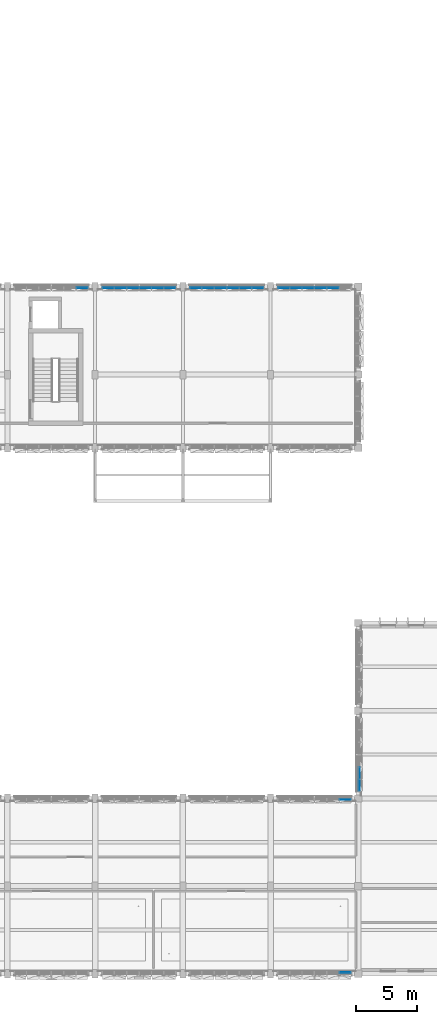
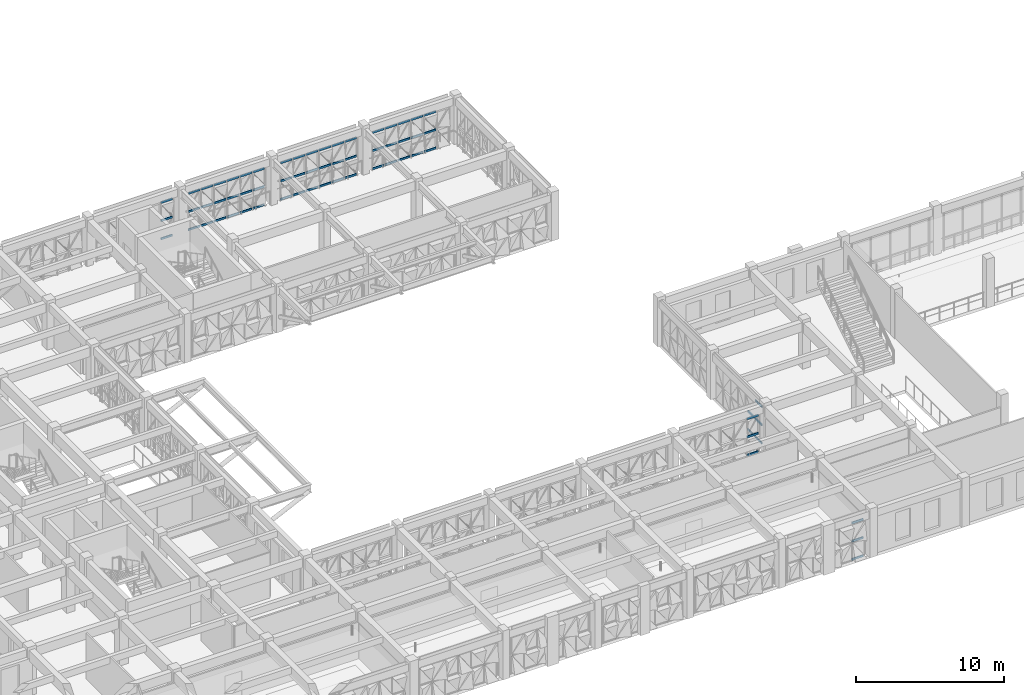
# One storey, part 26 of 88: 65 members, 7 elements without a shape of their own.
"""IFC4 building model written with IfcOpenShell, lengths in metres."""

from ifc_helpers import new_model, si_unit, direction, frame, origin, origin_2d, place, context, subcontext, project, spatial, rectangle, extrude, material, material_profile, profile_set, type_object, element, aggregate, save


model = new_model("IFC4")

# Units and contexts
model_context = context("Model", 3, precision=1e-05, world=origin(), true_north=direction((0.0, 1.0)))
body_context = subcontext(model_context, "Body", "Model", "MODEL_VIEW")
ifc_project = project(units=[si_unit("LENGTHUNIT", "METRE"), si_unit("AREAUNIT", "SQUARE_METRE"), si_unit("VOLUMEUNIT", "CUBIC_METRE"), si_unit("PLANEANGLEUNIT", "RADIAN"), si_unit("MASSUNIT", "GRAM", prefix="KILO")], contexts=[model_context])

# Site, building, storey
site_placement = place(None, origin())
site = spatial("IfcSite", under=ifc_project, at=site_placement, CompositionType="ELEMENT")
building_placement = place(site_placement, origin())
building = spatial("IfcBuilding", under=site, at=building_placement, Name="Alvorim Cloister Faculty of Sciences", CompositionType="ELEMENT")
storey_placement = place(building_placement, frame((0.0, 0.0, 4.5)))
storey = spatial("IfcBuildingStorey", under=building, at=storey_placement, Name="L01", CompositionType="ELEMENT", Elevation=4.5)

# Curtain wall, members
ifc_material_1 = material(Name="Aluminium and Low-E Glass Curtain Wall", Category="aluminium")
curtain_wall_type = type_object("IfcCurtainWallType", Name="CW-TRI-6120x3170", PredefinedType="USERDEFINED", material=ifc_material_1)
curtain_wall_1_placement = place(storey_placement, origin())
curtain_wall_1 = element("IfcCurtainWall", 1, at=curtain_wall_1_placement, inside=storey, type_object=curtain_wall_type, Name="L01 Diagonal Cassette Curtain Wall CW-0013", ObjectType="UNITISED CURTAIN WALL", PredefinedType="USERDEFINED")
ifc_material_2 = material(Name="Aluminium Alloy 6063-T6", Category="aluminium")
ifc_material_profile = material_profile(ifc_material_2, rectangle(XDim=0.074951171875, YDim=0.159912109375, at=origin_2d()), Name="ALU-TRN-75x160")
ifc_profile_set = profile_set([ifc_material_profile], Name="Aluminium Alloy 6063-T6")
member_type = type_object("IfcMemberType", Name="CW-TRN-75x160", PredefinedType="USERDEFINED", material=ifc_profile_set)
member_1_placement = place(storey_placement, frame((41.677490234375, 56.31005859375, 0.080078125), z_axis=(1.0, 0.0, 0.0), x_axis=(0.0, 1.0, 0.0)))
member_1 = element("IfcMember", 2, at=member_1_placement, type_object=member_type, Name="CW-0013 Transom 6.1", ObjectType="TRANSOM", PredefinedType="USERDEFINED", context=body_context, shape_type="SweptSolid", body=[
    extrude(rectangle(XDim=0.074951171875, YDim=0.159912109375, at=origin_2d()), origin(), (0.0, 0.0, 1.0), 0.907470703125),
])
member_2_placement = place(storey_placement, frame((41.677490234375, 56.31005859375, 1.5849609375), z_axis=(1.0, 0.0, 0.0), x_axis=(0.0, 1.0, 0.0)))
member_2 = element("IfcMember", 3, at=member_2_placement, type_object=member_type, Name="CW-0013 Transom 6.2", ObjectType="TRANSOM", PredefinedType="USERDEFINED", context=body_context, shape_type="SweptSolid", body=[
    extrude(rectangle(XDim=0.074951171875, YDim=0.159912109375, at=origin_2d()), origin(), (0.0, 0.0, 1.0), 0.907470703125),
])
member_3_placement = place(storey_placement, frame((41.677490234375, 56.31005859375, 3.090087890625), z_axis=(1.0, 0.0, 0.0), x_axis=(0.0, 1.0, 0.0)))
member_3 = element("IfcMember", 4, at=member_3_placement, type_object=member_type, Name="CW-0013 Transom 6.3", ObjectType="TRANSOM", PredefinedType="USERDEFINED", context=body_context, shape_type="SweptSolid", body=[
    extrude(rectangle(XDim=0.074951171875, YDim=0.159912109375, at=origin_2d()), origin(), (0.0, 0.0, 1.0), 0.907470703125),
])
aggregate(curtain_wall_1, [member_1, member_2, member_3])

curtain_wall_2_placement = place(storey_placement, origin())
curtain_wall_2 = element("IfcCurtainWall", 5, at=curtain_wall_2_placement, inside=storey, type_object=curtain_wall_type, Name="L01 Diagonal Cassette Curtain Wall CW-0014", ObjectType="UNITISED CURTAIN WALL", PredefinedType="USERDEFINED")
member_4_placement = place(storey_placement, frame((43.81494140625, 56.31005859375, 0.080078125), z_axis=(1.0, 0.0, 0.0), x_axis=(0.0, 1.0, 0.0)))
member_4 = element("IfcMember", 6, at=member_4_placement, type_object=member_type, Name="CW-0014 Transom 1.1", ObjectType="TRANSOM", PredefinedType="USERDEFINED", context=body_context, shape_type="SweptSolid", body=[
    extrude(rectangle(XDim=0.074951171875, YDim=0.159912109375, at=origin_2d()), origin(), (0.0, 0.0, 1.0), 0.907470703125),
])
member_5_placement = place(storey_placement, frame((43.81494140625, 56.31005859375, 1.5849609375), z_axis=(1.0, 0.0, 0.0), x_axis=(0.0, 1.0, 0.0)))
member_5 = element("IfcMember", 7, at=member_5_placement, type_object=member_type, Name="CW-0014 Transom 1.2", ObjectType="TRANSOM", PredefinedType="USERDEFINED", context=body_context, shape_type="SweptSolid", body=[
    extrude(rectangle(XDim=0.074951171875, YDim=0.159912109375, at=origin_2d()), origin(), (0.0, 0.0, 1.0), 0.907470703125),
])
member_6_placement = place(storey_placement, frame((43.81494140625, 56.31005859375, 3.090087890625), z_axis=(1.0, 0.0, 0.0), x_axis=(0.0, 1.0, 0.0)))
member_6 = element("IfcMember", 8, at=member_6_placement, type_object=member_type, Name="CW-0014 Transom 1.3", ObjectType="TRANSOM", PredefinedType="USERDEFINED", context=body_context, shape_type="SweptSolid", body=[
    extrude(rectangle(XDim=0.074951171875, YDim=0.159912109375, at=origin_2d()), origin(), (0.0, 0.0, 1.0), 0.907470703125),
])
member_7_placement = place(storey_placement, frame((44.797607421875, 56.31005859375, 0.080078125), z_axis=(1.0, 0.0, 0.0), x_axis=(0.0, 1.0, 0.0)))
member_7 = element("IfcMember", 9, at=member_7_placement, type_object=member_type, Name="CW-0014 Transom 2.1", ObjectType="TRANSOM", PredefinedType="USERDEFINED", context=body_context, shape_type="SweptSolid", body=[
    extrude(rectangle(XDim=0.074951171875, YDim=0.159912109375, at=origin_2d()), origin(), (0.0, 0.0, 1.0), 0.94482421875),
])
member_8_placement = place(storey_placement, frame((44.797607421875, 56.31005859375, 1.5849609375), z_axis=(1.0, 0.0, 0.0), x_axis=(0.0, 1.0, 0.0)))
member_8 = element("IfcMember", 10, at=member_8_placement, type_object=member_type, Name="CW-0014 Transom 2.2", ObjectType="TRANSOM", PredefinedType="USERDEFINED", context=body_context, shape_type="SweptSolid", body=[
    extrude(rectangle(XDim=0.074951171875, YDim=0.159912109375, at=origin_2d()), origin(), (0.0, 0.0, 1.0), 0.94482421875),
])
member_9_placement = place(storey_placement, frame((44.797607421875, 56.31005859375, 3.090087890625), z_axis=(1.0, 0.0, 0.0), x_axis=(0.0, 1.0, 0.0)))
member_9 = element("IfcMember", 11, at=member_9_placement, type_object=member_type, Name="CW-0014 Transom 2.3", ObjectType="TRANSOM", PredefinedType="USERDEFINED", context=body_context, shape_type="SweptSolid", body=[
    extrude(rectangle(XDim=0.074951171875, YDim=0.159912109375, at=origin_2d()), origin(), (0.0, 0.0, 1.0), 0.94482421875),
])
member_10_placement = place(storey_placement, frame((45.8173828125, 56.31005859375, 0.080078125), z_axis=(1.0, 0.0, 0.0), x_axis=(0.0, 1.0, 0.0)))
member_10 = element("IfcMember", 12, at=member_10_placement, type_object=member_type, Name="CW-0014 Transom 3.1", ObjectType="TRANSOM", PredefinedType="USERDEFINED", context=body_context, shape_type="SweptSolid", body=[
    extrude(rectangle(XDim=0.074951171875, YDim=0.159912109375, at=origin_2d()), origin(), (0.0, 0.0, 1.0), 0.945068359375),
])
member_11_placement = place(storey_placement, frame((45.8173828125, 56.31005859375, 1.5849609375), z_axis=(1.0, 0.0, 0.0), x_axis=(0.0, 1.0, 0.0)))
member_11 = element("IfcMember", 13, at=member_11_placement, type_object=member_type, Name="CW-0014 Transom 3.2", ObjectType="TRANSOM", PredefinedType="USERDEFINED", context=body_context, shape_type="SweptSolid", body=[
    extrude(rectangle(XDim=0.074951171875, YDim=0.159912109375, at=origin_2d()), origin(), (0.0, 0.0, 1.0), 0.945068359375),
])
member_12_placement = place(storey_placement, frame((45.8173828125, 56.31005859375, 3.090087890625), z_axis=(1.0, 0.0, 0.0), x_axis=(0.0, 1.0, 0.0)))
member_12 = element("IfcMember", 14, at=member_12_placement, type_object=member_type, Name="CW-0014 Transom 3.3", ObjectType="TRANSOM", PredefinedType="USERDEFINED", context=body_context, shape_type="SweptSolid", body=[
    extrude(rectangle(XDim=0.074951171875, YDim=0.159912109375, at=origin_2d()), origin(), (0.0, 0.0, 1.0), 0.945068359375),
])
member_13_placement = place(storey_placement, frame((46.83740234375, 56.31005859375, 0.080078125), z_axis=(1.0, 0.0, 0.0), x_axis=(0.0, 1.0, 0.0)))
member_13 = element("IfcMember", 15, at=member_13_placement, type_object=member_type, Name="CW-0014 Transom 4.1", ObjectType="TRANSOM", PredefinedType="USERDEFINED", context=body_context, shape_type="SweptSolid", body=[
    extrude(rectangle(XDim=0.074951171875, YDim=0.159912109375, at=origin_2d()), origin(), (0.0, 0.0, 1.0), 0.945068359375),
])
member_14_placement = place(storey_placement, frame((46.83740234375, 56.31005859375, 1.5849609375), z_axis=(1.0, 0.0, 0.0), x_axis=(0.0, 1.0, 0.0)))
member_14 = element("IfcMember", 16, at=member_14_placement, type_object=member_type, Name="CW-0014 Transom 4.2", ObjectType="TRANSOM", PredefinedType="USERDEFINED", context=body_context, shape_type="SweptSolid", body=[
    extrude(rectangle(XDim=0.074951171875, YDim=0.159912109375, at=origin_2d()), origin(), (0.0, 0.0, 1.0), 0.945068359375),
])
member_15_placement = place(storey_placement, frame((46.83740234375, 56.31005859375, 3.090087890625), z_axis=(1.0, 0.0, 0.0), x_axis=(0.0, 1.0, 0.0)))
member_15 = element("IfcMember", 17, at=member_15_placement, type_object=member_type, Name="CW-0014 Transom 4.3", ObjectType="TRANSOM", PredefinedType="USERDEFINED", context=body_context, shape_type="SweptSolid", body=[
    extrude(rectangle(XDim=0.074951171875, YDim=0.159912109375, at=origin_2d()), origin(), (0.0, 0.0, 1.0), 0.945068359375),
])
member_16_placement = place(storey_placement, frame((47.857421875, 56.31005859375, 0.080078125), z_axis=(1.0, 0.0, 0.0), x_axis=(0.0, 1.0, 0.0)))
member_16 = element("IfcMember", 18, at=member_16_placement, type_object=member_type, Name="CW-0014 Transom 5.1", ObjectType="TRANSOM", PredefinedType="USERDEFINED", context=body_context, shape_type="SweptSolid", body=[
    extrude(rectangle(XDim=0.074951171875, YDim=0.159912109375, at=origin_2d()), origin(), (0.0, 0.0, 1.0), 0.945068359375),
])
member_17_placement = place(storey_placement, frame((47.857421875, 56.31005859375, 1.5849609375), z_axis=(1.0, 0.0, 0.0), x_axis=(0.0, 1.0, 0.0)))
member_17 = element("IfcMember", 19, at=member_17_placement, type_object=member_type, Name="CW-0014 Transom 5.2", ObjectType="TRANSOM", PredefinedType="USERDEFINED", context=body_context, shape_type="SweptSolid", body=[
    extrude(rectangle(XDim=0.074951171875, YDim=0.159912109375, at=origin_2d()), origin(), (0.0, 0.0, 1.0), 0.945068359375),
])
member_18_placement = place(storey_placement, frame((47.857421875, 56.31005859375, 3.090087890625), z_axis=(1.0, 0.0, 0.0), x_axis=(0.0, 1.0, 0.0)))
member_18 = element("IfcMember", 20, at=member_18_placement, type_object=member_type, Name="CW-0014 Transom 5.3", ObjectType="TRANSOM", PredefinedType="USERDEFINED", context=body_context, shape_type="SweptSolid", body=[
    extrude(rectangle(XDim=0.074951171875, YDim=0.159912109375, at=origin_2d()), origin(), (0.0, 0.0, 1.0), 0.945068359375),
])
member_19_placement = place(storey_placement, frame((48.87744140625, 56.31005859375, 0.080078125), z_axis=(1.0, 0.0, 0.0), x_axis=(0.0, 1.0, 0.0)))
member_19 = element("IfcMember", 21, at=member_19_placement, type_object=member_type, Name="CW-0014 Transom 6.1", ObjectType="TRANSOM", PredefinedType="USERDEFINED", context=body_context, shape_type="SweptSolid", body=[
    extrude(rectangle(XDim=0.074951171875, YDim=0.159912109375, at=origin_2d()), origin(), (0.0, 0.0, 1.0), 0.907470703125),
])
member_20_placement = place(storey_placement, frame((48.87744140625, 56.31005859375, 1.5849609375), z_axis=(1.0, 0.0, 0.0), x_axis=(0.0, 1.0, 0.0)))
member_20 = element("IfcMember", 22, at=member_20_placement, type_object=member_type, Name="CW-0014 Transom 6.2", ObjectType="TRANSOM", PredefinedType="USERDEFINED", context=body_context, shape_type="SweptSolid", body=[
    extrude(rectangle(XDim=0.074951171875, YDim=0.159912109375, at=origin_2d()), origin(), (0.0, 0.0, 1.0), 0.907470703125),
])
member_21_placement = place(storey_placement, frame((48.87744140625, 56.31005859375, 3.090087890625), z_axis=(1.0, 0.0, 0.0), x_axis=(0.0, 1.0, 0.0)))
member_21 = element("IfcMember", 23, at=member_21_placement, type_object=member_type, Name="CW-0014 Transom 6.3", ObjectType="TRANSOM", PredefinedType="USERDEFINED", context=body_context, shape_type="SweptSolid", body=[
    extrude(rectangle(XDim=0.074951171875, YDim=0.159912109375, at=origin_2d()), origin(), (0.0, 0.0, 1.0), 0.907470703125),
])
aggregate(curtain_wall_2, [member_4, member_5, member_6, member_7, member_8, member_9, member_10, member_11, member_12, member_13, member_14, member_15, member_16, member_17, member_18, member_19, member_20, member_21])

curtain_wall_3_placement = place(storey_placement, origin())
curtain_wall_3 = element("IfcCurtainWall", 24, at=curtain_wall_3_placement, inside=storey, type_object=curtain_wall_type, Name="L01 Diagonal Cassette Curtain Wall CW-0015", ObjectType="UNITISED CURTAIN WALL", PredefinedType="USERDEFINED")
member_22_placement = place(storey_placement, frame((51.014892578125, 56.31005859375, 0.080078125), z_axis=(1.0, 0.0, 0.0), x_axis=(0.0, 1.0, 0.0)))
member_22 = element("IfcMember", 25, at=member_22_placement, type_object=member_type, Name="CW-0015 Transom 1.1", ObjectType="TRANSOM", PredefinedType="USERDEFINED", context=body_context, shape_type="SweptSolid", body=[
    extrude(rectangle(XDim=0.074951171875, YDim=0.159912109375, at=origin_2d()), origin(), (0.0, 0.0, 1.0), 0.90771484375),
])
member_23_placement = place(storey_placement, frame((51.014892578125, 56.31005859375, 1.5849609375), z_axis=(1.0, 0.0, 0.0), x_axis=(0.0, 1.0, 0.0)))
member_23 = element("IfcMember", 26, at=member_23_placement, type_object=member_type, Name="CW-0015 Transom 1.2", ObjectType="TRANSOM", PredefinedType="USERDEFINED", context=body_context, shape_type="SweptSolid", body=[
    extrude(rectangle(XDim=0.074951171875, YDim=0.159912109375, at=origin_2d()), origin(), (0.0, 0.0, 1.0), 0.90771484375),
])
member_24_placement = place(storey_placement, frame((51.014892578125, 56.31005859375, 3.090087890625), z_axis=(1.0, 0.0, 0.0), x_axis=(0.0, 1.0, 0.0)))
member_24 = element("IfcMember", 27, at=member_24_placement, type_object=member_type, Name="CW-0015 Transom 1.3", ObjectType="TRANSOM", PredefinedType="USERDEFINED", context=body_context, shape_type="SweptSolid", body=[
    extrude(rectangle(XDim=0.074951171875, YDim=0.159912109375, at=origin_2d()), origin(), (0.0, 0.0, 1.0), 0.90771484375),
])
member_25_placement = place(storey_placement, frame((51.99755859375, 56.31005859375, 0.080078125), z_axis=(1.0, 0.0, 0.0), x_axis=(0.0, 1.0, 0.0)))
member_25 = element("IfcMember", 28, at=member_25_placement, type_object=member_type, Name="CW-0015 Transom 2.1", ObjectType="TRANSOM", PredefinedType="USERDEFINED", context=body_context, shape_type="SweptSolid", body=[
    extrude(rectangle(XDim=0.074951171875, YDim=0.159912109375, at=origin_2d()), origin(), (0.0, 0.0, 1.0), 0.94482421875),
])
member_26_placement = place(storey_placement, frame((51.99755859375, 56.31005859375, 1.5849609375), z_axis=(1.0, 0.0, 0.0), x_axis=(0.0, 1.0, 0.0)))
member_26 = element("IfcMember", 29, at=member_26_placement, type_object=member_type, Name="CW-0015 Transom 2.2", ObjectType="TRANSOM", PredefinedType="USERDEFINED", context=body_context, shape_type="SweptSolid", body=[
    extrude(rectangle(XDim=0.074951171875, YDim=0.159912109375, at=origin_2d()), origin(), (0.0, 0.0, 1.0), 0.94482421875),
])
member_27_placement = place(storey_placement, frame((51.99755859375, 56.31005859375, 3.090087890625), z_axis=(1.0, 0.0, 0.0), x_axis=(0.0, 1.0, 0.0)))
member_27 = element("IfcMember", 30, at=member_27_placement, type_object=member_type, Name="CW-0015 Transom 2.3", ObjectType="TRANSOM", PredefinedType="USERDEFINED", context=body_context, shape_type="SweptSolid", body=[
    extrude(rectangle(XDim=0.074951171875, YDim=0.159912109375, at=origin_2d()), origin(), (0.0, 0.0, 1.0), 0.94482421875),
])
member_28_placement = place(storey_placement, frame((53.017578125, 56.31005859375, 0.080078125), z_axis=(1.0, 0.0, 0.0), x_axis=(0.0, 1.0, 0.0)))
member_28 = element("IfcMember", 31, at=member_28_placement, type_object=member_type, Name="CW-0015 Transom 3.1", ObjectType="TRANSOM", PredefinedType="USERDEFINED", context=body_context, shape_type="SweptSolid", body=[
    extrude(rectangle(XDim=0.074951171875, YDim=0.159912109375, at=origin_2d()), origin(), (0.0, 0.0, 1.0), 0.94482421875),
])
member_29_placement = place(storey_placement, frame((53.017578125, 56.31005859375, 1.5849609375), z_axis=(1.0, 0.0, 0.0), x_axis=(0.0, 1.0, 0.0)))
member_29 = element("IfcMember", 32, at=member_29_placement, type_object=member_type, Name="CW-0015 Transom 3.2", ObjectType="TRANSOM", PredefinedType="USERDEFINED", context=body_context, shape_type="SweptSolid", body=[
    extrude(rectangle(XDim=0.074951171875, YDim=0.159912109375, at=origin_2d()), origin(), (0.0, 0.0, 1.0), 0.94482421875),
])
member_30_placement = place(storey_placement, frame((53.017578125, 56.31005859375, 3.090087890625), z_axis=(1.0, 0.0, 0.0), x_axis=(0.0, 1.0, 0.0)))
member_30 = element("IfcMember", 33, at=member_30_placement, type_object=member_type, Name="CW-0015 Transom 3.3", ObjectType="TRANSOM", PredefinedType="USERDEFINED", context=body_context, shape_type="SweptSolid", body=[
    extrude(rectangle(XDim=0.074951171875, YDim=0.159912109375, at=origin_2d()), origin(), (0.0, 0.0, 1.0), 0.94482421875),
])
member_31_placement = place(storey_placement, frame((54.03759765625, 56.31005859375, 0.080078125), z_axis=(1.0, 0.0, 0.0), x_axis=(0.0, 1.0, 0.0)))
member_31 = element("IfcMember", 34, at=member_31_placement, type_object=member_type, Name="CW-0015 Transom 4.1", ObjectType="TRANSOM", PredefinedType="USERDEFINED", context=body_context, shape_type="SweptSolid", body=[
    extrude(rectangle(XDim=0.074951171875, YDim=0.159912109375, at=origin_2d()), origin(), (0.0, 0.0, 1.0), 0.94482421875),
])
member_32_placement = place(storey_placement, frame((54.03759765625, 56.31005859375, 1.5849609375), z_axis=(1.0, 0.0, 0.0), x_axis=(0.0, 1.0, 0.0)))
member_32 = element("IfcMember", 35, at=member_32_placement, type_object=member_type, Name="CW-0015 Transom 4.2", ObjectType="TRANSOM", PredefinedType="USERDEFINED", context=body_context, shape_type="SweptSolid", body=[
    extrude(rectangle(XDim=0.074951171875, YDim=0.159912109375, at=origin_2d()), origin(), (0.0, 0.0, 1.0), 0.94482421875),
])
member_33_placement = place(storey_placement, frame((54.03759765625, 56.31005859375, 3.090087890625), z_axis=(1.0, 0.0, 0.0), x_axis=(0.0, 1.0, 0.0)))
member_33 = element("IfcMember", 36, at=member_33_placement, type_object=member_type, Name="CW-0015 Transom 4.3", ObjectType="TRANSOM", PredefinedType="USERDEFINED", context=body_context, shape_type="SweptSolid", body=[
    extrude(rectangle(XDim=0.074951171875, YDim=0.159912109375, at=origin_2d()), origin(), (0.0, 0.0, 1.0), 0.94482421875),
])
member_34_placement = place(storey_placement, frame((55.0576171875, 56.31005859375, 0.080078125), z_axis=(1.0, 0.0, 0.0), x_axis=(0.0, 1.0, 0.0)))
member_34 = element("IfcMember", 37, at=member_34_placement, type_object=member_type, Name="CW-0015 Transom 5.1", ObjectType="TRANSOM", PredefinedType="USERDEFINED", context=body_context, shape_type="SweptSolid", body=[
    extrude(rectangle(XDim=0.074951171875, YDim=0.159912109375, at=origin_2d()), origin(), (0.0, 0.0, 1.0), 0.94482421875),
])
member_35_placement = place(storey_placement, frame((55.0576171875, 56.31005859375, 1.5849609375), z_axis=(1.0, 0.0, 0.0), x_axis=(0.0, 1.0, 0.0)))
member_35 = element("IfcMember", 38, at=member_35_placement, type_object=member_type, Name="CW-0015 Transom 5.2", ObjectType="TRANSOM", PredefinedType="USERDEFINED", context=body_context, shape_type="SweptSolid", body=[
    extrude(rectangle(XDim=0.074951171875, YDim=0.159912109375, at=origin_2d()), origin(), (0.0, 0.0, 1.0), 0.94482421875),
])
member_36_placement = place(storey_placement, frame((55.0576171875, 56.31005859375, 3.090087890625), z_axis=(1.0, 0.0, 0.0), x_axis=(0.0, 1.0, 0.0)))
member_36 = element("IfcMember", 39, at=member_36_placement, type_object=member_type, Name="CW-0015 Transom 5.3", ObjectType="TRANSOM", PredefinedType="USERDEFINED", context=body_context, shape_type="SweptSolid", body=[
    extrude(rectangle(XDim=0.074951171875, YDim=0.159912109375, at=origin_2d()), origin(), (0.0, 0.0, 1.0), 0.94482421875),
])
member_37_placement = place(storey_placement, frame((56.077392578125, 56.31005859375, 0.080078125), z_axis=(1.0, 0.0, 0.0), x_axis=(0.0, 1.0, 0.0)))
member_37 = element("IfcMember", 40, at=member_37_placement, type_object=member_type, Name="CW-0015 Transom 6.1", ObjectType="TRANSOM", PredefinedType="USERDEFINED", context=body_context, shape_type="SweptSolid", body=[
    extrude(rectangle(XDim=0.074951171875, YDim=0.159912109375, at=origin_2d()), origin(), (0.0, 0.0, 1.0), 0.90771484375),
])
member_38_placement = place(storey_placement, frame((56.077392578125, 56.31005859375, 1.5849609375), z_axis=(1.0, 0.0, 0.0), x_axis=(0.0, 1.0, 0.0)))
member_38 = element("IfcMember", 41, at=member_38_placement, type_object=member_type, Name="CW-0015 Transom 6.2", ObjectType="TRANSOM", PredefinedType="USERDEFINED", context=body_context, shape_type="SweptSolid", body=[
    extrude(rectangle(XDim=0.074951171875, YDim=0.159912109375, at=origin_2d()), origin(), (0.0, 0.0, 1.0), 0.90771484375),
])
member_39_placement = place(storey_placement, frame((56.077392578125, 56.31005859375, 3.090087890625), z_axis=(1.0, 0.0, 0.0), x_axis=(0.0, 1.0, 0.0)))
member_39 = element("IfcMember", 42, at=member_39_placement, type_object=member_type, Name="CW-0015 Transom 6.3", ObjectType="TRANSOM", PredefinedType="USERDEFINED", context=body_context, shape_type="SweptSolid", body=[
    extrude(rectangle(XDim=0.074951171875, YDim=0.159912109375, at=origin_2d()), origin(), (0.0, 0.0, 1.0), 0.90771484375),
])
aggregate(curtain_wall_3, [member_22, member_23, member_24, member_25, member_26, member_27, member_28, member_29, member_30, member_31, member_32, member_33, member_34, member_35, member_36, member_37, member_38, member_39])

curtain_wall_4_placement = place(storey_placement, origin())
curtain_wall_4 = element("IfcCurtainWall", 43, at=curtain_wall_4_placement, inside=storey, type_object=curtain_wall_type, Name="L01 Diagonal Cassette Curtain Wall CW-0016", ObjectType="UNITISED CURTAIN WALL", PredefinedType="USERDEFINED")
member_40_placement = place(storey_placement, frame((58.215087890625, 56.31005859375, 0.080078125), z_axis=(1.0, 0.0, 0.0), x_axis=(0.0, 1.0, 0.0)))
member_40 = element("IfcMember", 44, at=member_40_placement, type_object=member_type, Name="CW-0016 Transom 1.1", ObjectType="TRANSOM", PredefinedType="USERDEFINED", context=body_context, shape_type="SweptSolid", body=[
    extrude(rectangle(XDim=0.074951171875, YDim=0.159912109375, at=origin_2d()), origin(), (0.0, 0.0, 1.0), 0.907470703125),
])
member_41_placement = place(storey_placement, frame((58.215087890625, 56.31005859375, 1.5849609375), z_axis=(1.0, 0.0, 0.0), x_axis=(0.0, 1.0, 0.0)))
member_41 = element("IfcMember", 45, at=member_41_placement, type_object=member_type, Name="CW-0016 Transom 1.2", ObjectType="TRANSOM", PredefinedType="USERDEFINED", context=body_context, shape_type="SweptSolid", body=[
    extrude(rectangle(XDim=0.074951171875, YDim=0.159912109375, at=origin_2d()), origin(), (0.0, 0.0, 1.0), 0.907470703125),
])
member_42_placement = place(storey_placement, frame((58.215087890625, 56.31005859375, 3.090087890625), z_axis=(1.0, 0.0, 0.0), x_axis=(0.0, 1.0, 0.0)))
member_42 = element("IfcMember", 46, at=member_42_placement, type_object=member_type, Name="CW-0016 Transom 1.3", ObjectType="TRANSOM", PredefinedType="USERDEFINED", context=body_context, shape_type="SweptSolid", body=[
    extrude(rectangle(XDim=0.074951171875, YDim=0.159912109375, at=origin_2d()), origin(), (0.0, 0.0, 1.0), 0.907470703125),
])
member_43_placement = place(storey_placement, frame((59.197509765625, 56.31005859375, 0.080078125), z_axis=(1.0, 0.0, 0.0), x_axis=(0.0, 1.0, 0.0)))
member_43 = element("IfcMember", 47, at=member_43_placement, type_object=member_type, Name="CW-0016 Transom 2.1", ObjectType="TRANSOM", PredefinedType="USERDEFINED", context=body_context, shape_type="SweptSolid", body=[
    extrude(rectangle(XDim=0.074951171875, YDim=0.159912109375, at=origin_2d()), origin(), (0.0, 0.0, 1.0), 0.945068359375),
])
member_44_placement = place(storey_placement, frame((59.197509765625, 56.31005859375, 1.5849609375), z_axis=(1.0, 0.0, 0.0), x_axis=(0.0, 1.0, 0.0)))
member_44 = element("IfcMember", 48, at=member_44_placement, type_object=member_type, Name="CW-0016 Transom 2.2", ObjectType="TRANSOM", PredefinedType="USERDEFINED", context=body_context, shape_type="SweptSolid", body=[
    extrude(rectangle(XDim=0.074951171875, YDim=0.159912109375, at=origin_2d()), origin(), (0.0, 0.0, 1.0), 0.945068359375),
])
member_45_placement = place(storey_placement, frame((59.197509765625, 56.31005859375, 3.090087890625), z_axis=(1.0, 0.0, 0.0), x_axis=(0.0, 1.0, 0.0)))
member_45 = element("IfcMember", 49, at=member_45_placement, type_object=member_type, Name="CW-0016 Transom 2.3", ObjectType="TRANSOM", PredefinedType="USERDEFINED", context=body_context, shape_type="SweptSolid", body=[
    extrude(rectangle(XDim=0.074951171875, YDim=0.159912109375, at=origin_2d()), origin(), (0.0, 0.0, 1.0), 0.945068359375),
])
member_46_placement = place(storey_placement, frame((60.217529296875, 56.31005859375, 0.080078125), z_axis=(1.0, 0.0, 0.0), x_axis=(0.0, 1.0, 0.0)))
member_46 = element("IfcMember", 50, at=member_46_placement, type_object=member_type, Name="CW-0016 Transom 3.1", ObjectType="TRANSOM", PredefinedType="USERDEFINED", context=body_context, shape_type="SweptSolid", body=[
    extrude(rectangle(XDim=0.074951171875, YDim=0.159912109375, at=origin_2d()), origin(), (0.0, 0.0, 1.0), 0.945068359375),
])
member_47_placement = place(storey_placement, frame((60.217529296875, 56.31005859375, 1.5849609375), z_axis=(1.0, 0.0, 0.0), x_axis=(0.0, 1.0, 0.0)))
member_47 = element("IfcMember", 51, at=member_47_placement, type_object=member_type, Name="CW-0016 Transom 3.2", ObjectType="TRANSOM", PredefinedType="USERDEFINED", context=body_context, shape_type="SweptSolid", body=[
    extrude(rectangle(XDim=0.074951171875, YDim=0.159912109375, at=origin_2d()), origin(), (0.0, 0.0, 1.0), 0.945068359375),
])
member_48_placement = place(storey_placement, frame((60.217529296875, 56.31005859375, 3.090087890625), z_axis=(1.0, 0.0, 0.0), x_axis=(0.0, 1.0, 0.0)))
member_48 = element("IfcMember", 52, at=member_48_placement, type_object=member_type, Name="CW-0016 Transom 3.3", ObjectType="TRANSOM", PredefinedType="USERDEFINED", context=body_context, shape_type="SweptSolid", body=[
    extrude(rectangle(XDim=0.074951171875, YDim=0.159912109375, at=origin_2d()), origin(), (0.0, 0.0, 1.0), 0.945068359375),
])
member_49_placement = place(storey_placement, frame((61.237548828125, 56.31005859375, 0.080078125), z_axis=(1.0, 0.0, 0.0), x_axis=(0.0, 1.0, 0.0)))
member_49 = element("IfcMember", 53, at=member_49_placement, type_object=member_type, Name="CW-0016 Transom 4.1", ObjectType="TRANSOM", PredefinedType="USERDEFINED", context=body_context, shape_type="SweptSolid", body=[
    extrude(rectangle(XDim=0.074951171875, YDim=0.159912109375, at=origin_2d()), origin(), (0.0, 0.0, 1.0), 0.945068359375),
])
member_50_placement = place(storey_placement, frame((61.237548828125, 56.31005859375, 1.5849609375), z_axis=(1.0, 0.0, 0.0), x_axis=(0.0, 1.0, 0.0)))
member_50 = element("IfcMember", 54, at=member_50_placement, type_object=member_type, Name="CW-0016 Transom 4.2", ObjectType="TRANSOM", PredefinedType="USERDEFINED", context=body_context, shape_type="SweptSolid", body=[
    extrude(rectangle(XDim=0.074951171875, YDim=0.159912109375, at=origin_2d()), origin(), (0.0, 0.0, 1.0), 0.945068359375),
])
member_51_placement = place(storey_placement, frame((61.237548828125, 56.31005859375, 3.090087890625), z_axis=(1.0, 0.0, 0.0), x_axis=(0.0, 1.0, 0.0)))
member_51 = element("IfcMember", 55, at=member_51_placement, type_object=member_type, Name="CW-0016 Transom 4.3", ObjectType="TRANSOM", PredefinedType="USERDEFINED", context=body_context, shape_type="SweptSolid", body=[
    extrude(rectangle(XDim=0.074951171875, YDim=0.159912109375, at=origin_2d()), origin(), (0.0, 0.0, 1.0), 0.945068359375),
])
member_52_placement = place(storey_placement, frame((62.257568359375, 56.31005859375, 0.080078125), z_axis=(1.0, 0.0, 0.0), x_axis=(0.0, 1.0, 0.0)))
member_52 = element("IfcMember", 56, at=member_52_placement, type_object=member_type, Name="CW-0016 Transom 5.1", ObjectType="TRANSOM", PredefinedType="USERDEFINED", context=body_context, shape_type="SweptSolid", body=[
    extrude(rectangle(XDim=0.074951171875, YDim=0.159912109375, at=origin_2d()), origin(), (0.0, 0.0, 1.0), 0.94482421875),
])
member_53_placement = place(storey_placement, frame((62.257568359375, 56.31005859375, 1.5849609375), z_axis=(1.0, 0.0, 0.0), x_axis=(0.0, 1.0, 0.0)))
member_53 = element("IfcMember", 57, at=member_53_placement, type_object=member_type, Name="CW-0016 Transom 5.2", ObjectType="TRANSOM", PredefinedType="USERDEFINED", context=body_context, shape_type="SweptSolid", body=[
    extrude(rectangle(XDim=0.074951171875, YDim=0.159912109375, at=origin_2d()), origin(), (0.0, 0.0, 1.0), 0.94482421875),
])
member_54_placement = place(storey_placement, frame((62.257568359375, 56.31005859375, 3.090087890625), z_axis=(1.0, 0.0, 0.0), x_axis=(0.0, 1.0, 0.0)))
member_54 = element("IfcMember", 58, at=member_54_placement, type_object=member_type, Name="CW-0016 Transom 5.3", ObjectType="TRANSOM", PredefinedType="USERDEFINED", context=body_context, shape_type="SweptSolid", body=[
    extrude(rectangle(XDim=0.074951171875, YDim=0.159912109375, at=origin_2d()), origin(), (0.0, 0.0, 1.0), 0.94482421875),
])
aggregate(curtain_wall_4, [member_40, member_41, member_42, member_43, member_44, member_45, member_46, member_47, member_48, member_49, member_50, member_51, member_52, member_53, member_54])

curtain_wall_5_placement = place(storey_placement, origin())
curtain_wall_5 = element("IfcCurtainWall", 59, at=curtain_wall_5_placement, inside=storey, type_object=curtain_wall_type, Name="L01 Diagonal Cassette Curtain Wall CW-0031", ObjectType="UNITISED CURTAIN WALL", PredefinedType="USERDEFINED")
member_55_placement = place(storey_placement, frame((63.277587890625, 14.31005859375, 0.080078125), z_axis=(1.0, 0.0, 0.0), x_axis=(0.0, 1.0, 0.0)))
member_55 = element("IfcMember", 60, at=member_55_placement, type_object=member_type, Name="CW-0031 Transom 6.1", ObjectType="TRANSOM", PredefinedType="USERDEFINED", context=body_context, shape_type="SweptSolid", body=[
    extrude(rectangle(XDim=0.074951171875, YDim=0.159912109375, at=origin_2d()), origin(), (0.0, 0.0, 1.0), 0.907470703125),
])
member_56_placement = place(storey_placement, frame((63.277587890625, 14.31005859375, 1.5849609375), z_axis=(1.0, 0.0, 0.0), x_axis=(0.0, 1.0, 0.0)))
member_56 = element("IfcMember", 61, at=member_56_placement, type_object=member_type, Name="CW-0031 Transom 6.2", ObjectType="TRANSOM", PredefinedType="USERDEFINED", context=body_context, shape_type="SweptSolid", body=[
    extrude(rectangle(XDim=0.074951171875, YDim=0.159912109375, at=origin_2d()), origin(), (0.0, 0.0, 1.0), 0.907470703125),
])
member_57_placement = place(storey_placement, frame((63.277587890625, 14.31005859375, 3.090087890625), z_axis=(1.0, 0.0, 0.0), x_axis=(0.0, 1.0, 0.0)))
member_57 = element("IfcMember", 62, at=member_57_placement, type_object=member_type, Name="CW-0031 Transom 6.3", ObjectType="TRANSOM", PredefinedType="USERDEFINED", context=body_context, shape_type="SweptSolid", body=[
    extrude(rectangle(XDim=0.074951171875, YDim=0.159912109375, at=origin_2d()), origin(), (0.0, 0.0, 1.0), 0.907470703125),
])
aggregate(curtain_wall_5, [member_55, member_56, member_57])

curtain_wall_6_placement = place(storey_placement, origin())
curtain_wall_6 = element("IfcCurtainWall", 63, at=curtain_wall_6_placement, inside=storey, type_object=curtain_wall_type, Name="L01 Diagonal Cassette Curtain Wall CW-0032", ObjectType="UNITISED CURTAIN WALL", PredefinedType="USERDEFINED")
member_58_placement = place(storey_placement, frame((64.889892578125, 15.014892578125, 0.080078125), z_axis=(0.0, 1.0, 0.0), x_axis=(-1.0, 0.0, 0.0)))
member_58 = element("IfcMember", 64, at=member_58_placement, type_object=member_type, Name="CW-0032 Transom 1.1", ObjectType="TRANSOM", PredefinedType="USERDEFINED", context=body_context, shape_type="SweptSolid", body=[
    extrude(rectangle(XDim=0.074951171875, YDim=0.159912109375, at=origin_2d()), origin(), (0.0, 0.0, 1.0), 0.90771484375),
])
member_59_placement = place(storey_placement, frame((64.889892578125, 15.014892578125, 1.5849609375), z_axis=(0.0, 1.0, 0.0), x_axis=(-1.0, 0.0, 0.0)))
member_59 = element("IfcMember", 65, at=member_59_placement, type_object=member_type, Name="CW-0032 Transom 1.2", ObjectType="TRANSOM", PredefinedType="USERDEFINED", context=body_context, shape_type="SweptSolid", body=[
    extrude(rectangle(XDim=0.074951171875, YDim=0.159912109375, at=origin_2d()), origin(), (0.0, 0.0, 1.0), 0.90771484375),
])
member_60_placement = place(storey_placement, frame((64.889892578125, 15.014892578125, 3.090087890625), z_axis=(0.0, 1.0, 0.0), x_axis=(-1.0, 0.0, 0.0)))
member_60 = element("IfcMember", 66, at=member_60_placement, type_object=member_type, Name="CW-0032 Transom 1.3", ObjectType="TRANSOM", PredefinedType="USERDEFINED", context=body_context, shape_type="SweptSolid", body=[
    extrude(rectangle(XDim=0.074951171875, YDim=0.159912109375, at=origin_2d()), origin(), (0.0, 0.0, 1.0), 0.90771484375),
])
member_61_placement = place(storey_placement, frame((64.889892578125, 15.99755859375, 0.080078125), z_axis=(0.0, 1.0, 0.0), x_axis=(-1.0, 0.0, 0.0)))
member_61 = element("IfcMember", 67, at=member_61_placement, type_object=member_type, Name="CW-0032 Transom 2.1", ObjectType="TRANSOM", PredefinedType="USERDEFINED", context=body_context, shape_type="SweptSolid", body=[
    extrude(rectangle(XDim=0.074951171875, YDim=0.159912109375, at=origin_2d()), origin(), (0.0, 0.0, 1.0), 0.94482421875),
])
member_62_placement = place(storey_placement, frame((64.889892578125, 15.99755859375, 1.5849609375), z_axis=(0.0, 1.0, 0.0), x_axis=(-1.0, 0.0, 0.0)))
member_62 = element("IfcMember", 68, at=member_62_placement, type_object=member_type, Name="CW-0032 Transom 2.2", ObjectType="TRANSOM", PredefinedType="USERDEFINED", context=body_context, shape_type="SweptSolid", body=[
    extrude(rectangle(XDim=0.074951171875, YDim=0.159912109375, at=origin_2d()), origin(), (0.0, 0.0, 1.0), 0.94482421875),
])
aggregate(curtain_wall_6, [member_58, member_59, member_60, member_61, member_62])

curtain_wall_7_placement = place(storey_placement, origin())
curtain_wall_7 = element("IfcCurtainWall", 69, at=curtain_wall_7_placement, inside=storey, type_object=curtain_wall_type, Name="L01 Diagonal Cassette Curtain Wall CW-0040", ObjectType="UNITISED CURTAIN WALL", PredefinedType="USERDEFINED")
member_63_placement = place(storey_placement, frame((63.277587890625, 0.090087890625, 0.080078125), z_axis=(1.0, 0.0, 0.0), x_axis=(0.0, 1.0, 0.0)))
member_63 = element("IfcMember", 70, at=member_63_placement, type_object=member_type, Name="CW-0040 Transom 6.1", ObjectType="TRANSOM", PredefinedType="USERDEFINED", context=body_context, shape_type="SweptSolid", body=[
    extrude(rectangle(XDim=0.074951171875, YDim=0.159912109375, at=origin_2d()), origin(), (0.0, 0.0, 1.0), 0.907470703125),
])
member_64_placement = place(storey_placement, frame((63.277587890625, 0.090087890625, 1.5849609375), z_axis=(1.0, 0.0, 0.0), x_axis=(0.0, 1.0, 0.0)))
member_64 = element("IfcMember", 71, at=member_64_placement, type_object=member_type, Name="CW-0040 Transom 6.2", ObjectType="TRANSOM", PredefinedType="USERDEFINED", context=body_context, shape_type="SweptSolid", body=[
    extrude(rectangle(XDim=0.074951171875, YDim=0.159912109375, at=origin_2d()), origin(), (0.0, 0.0, 1.0), 0.907470703125),
])
member_65_placement = place(storey_placement, frame((63.277587890625, 0.090087890625, 3.090087890625), z_axis=(1.0, 0.0, 0.0), x_axis=(0.0, 1.0, 0.0)))
member_65 = element("IfcMember", 72, at=member_65_placement, type_object=member_type, Name="CW-0040 Transom 6.3", ObjectType="TRANSOM", PredefinedType="USERDEFINED", context=body_context, shape_type="SweptSolid", body=[
    extrude(rectangle(XDim=0.074951171875, YDim=0.159912109375, at=origin_2d()), origin(), (0.0, 0.0, 1.0), 0.907470703125),
])
aggregate(curtain_wall_7, [member_63, member_64, member_65])

save(model, "model.ifc")
